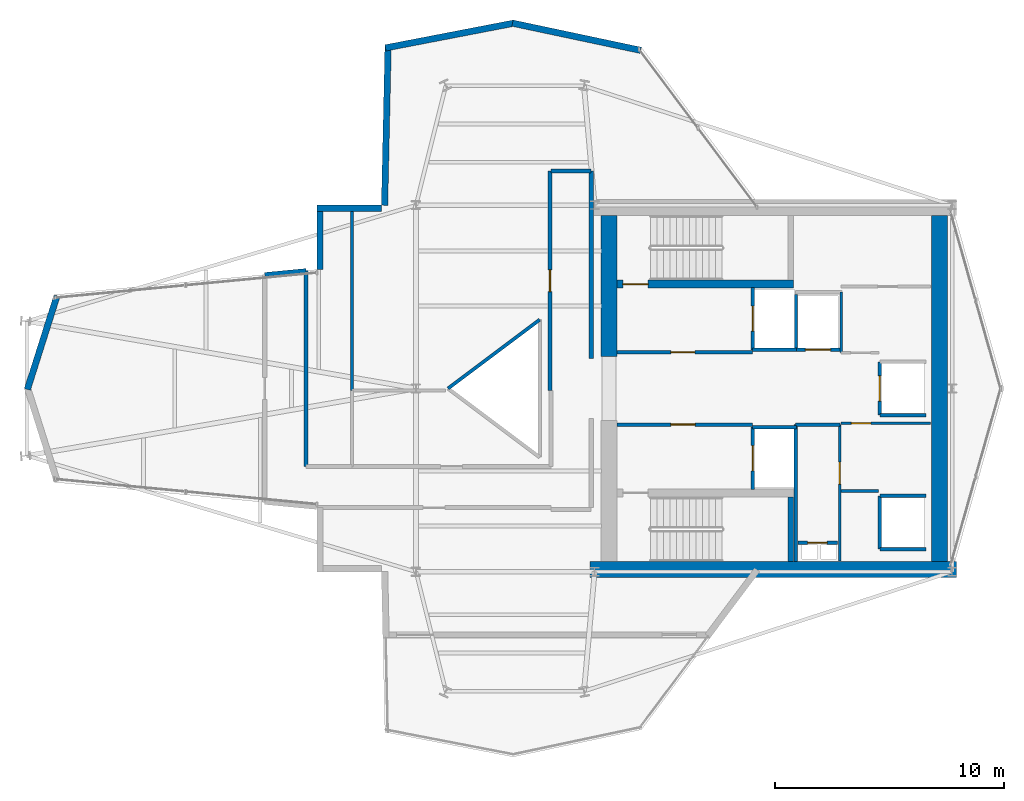
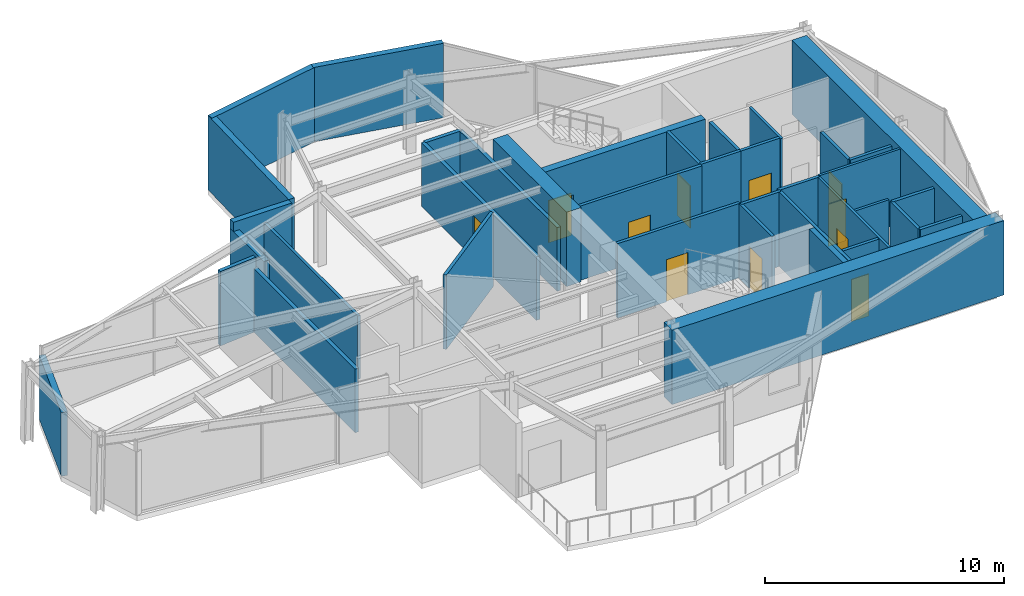
# One storey, part 15 of 18: 38 walls, 11 doors, 11 openings.
"""IFC4 building model written with IfcOpenShell, lengths in metres."""

from ifc_helpers import new_model, si_unit, direction, frame, frame_2d, origin, place, context, subcontext, project, spatial, rectangle, extrude, material, layer, layer_set, type_object, element, fill, save


model = new_model("IFC4")

# Units and contexts
model_context = context("Model", 3, precision=1e-05, world=origin(), true_north=direction((0.0, 1.0)))
body_context = subcontext(model_context, "Body", "Model", "MODEL_VIEW")
ifc_project = project(units=[si_unit("LENGTHUNIT", "METRE"), si_unit("AREAUNIT", "SQUARE_METRE"), si_unit("VOLUMEUNIT", "CUBIC_METRE"), si_unit("PLANEANGLEUNIT", "RADIAN"), si_unit("MASSUNIT", "GRAM", prefix="KILO")], contexts=[model_context])

# Site, building, storey
site_placement = place(None, origin())
site = spatial("IfcSite", under=ifc_project, at=site_placement, CompositionType="ELEMENT")
building_placement = place(site_placement, origin())
building = spatial("IfcBuilding", under=site, at=building_placement, Name="Veymaron Broadcast Tower", CompositionType="ELEMENT")
storey_placement = place(building_placement, frame((0.0, 0.0, 236.39990234375)))
storey = spatial("IfcBuildingStorey", under=building, at=storey_placement, Name="L55", CompositionType="ELEMENT", Elevation=236.39990234375)

# Walls
ifc_material_1 = material(Name="Precast concrete C40/50", Category="concrete")
ifc_layer_1 = layer(ifc_material_1, 0.280029296875)
ifc_layer_set_1 = layer_set([ifc_layer_1], Name="Precast concrete C40/50")
wall_type_1 = type_object("IfcWallType", Name="WALL-EXT-280", PredefinedType="STANDARD", material=ifc_layer_set_1)
wall_1_placement = place(storey_placement, frame((41.01416015625, 38.759033203125, 0.0), z_axis=(0.0, 0.0, 1.0), x_axis=(-0.978225466403, 0.207545023742, 0.0)))
element("IfcWall", 1, at=wall_1_placement, inside=storey, type_object=wall_type_1, Name="L55 notched corner facade pier 8-1", PredefinedType="STANDARD", context=body_context, shape_type="SweptSolid", body=[
    extrude(rectangle(XDim=5.72412109375, YDim=0.280029296875, at=frame_2d((2.862060546875, 0.0))), origin(), (0.0, 0.0, 1.0), 3.7900390625),
])
wall_2_placement = place(storey_placement, frame((35.470458984375, 39.946533203125, 0.0), z_axis=(0.0, 0.0, 1.0), x_axis=(-0.981898182051, -0.18940950368, 0.0)))
element("IfcWall", 2, at=wall_2_placement, inside=storey, type_object=wall_type_1, Name="L55 notched corner facade pier 9-1", PredefinedType="STANDARD", context=body_context, shape_type="SweptSolid", body=[
    extrude(rectangle(XDim=5.702392578125, YDim=0.280029296875, at=frame_2d((2.85107421875, 0.0))), origin(), (0.0, 0.0, 1.0), 3.7900390625),
])
wall_3_placement = place(storey_placement, frame((29.98486328125, 39.0009765625, 0.0), z_axis=(0.0, 0.0, 1.0), x_axis=(-0.022163330023, -0.999754363232, 0.0)))
element("IfcWall", 3, at=wall_3_placement, inside=storey, type_object=wall_type_1, Name="L55 notched corner facade pier 10-1", PredefinedType="STANDARD", context=body_context, shape_type="SweptSolid", body=[
    extrude(rectangle(XDim=7.005859375, YDim=0.280029296875, at=frame_2d((3.5029296875, 0.0))), origin(), (0.0, 0.0, 1.0), 3.7900390625),
])
wall_4_placement = place(storey_placement, frame((29.689697265625, 31.860107421875, 0.0), z_axis=(0.0, 0.0, 1.0), x_axis=(-1.0, 0.0, 0.0)))
element("IfcWall", 4, at=wall_4_placement, inside=storey, type_object=wall_type_1, Name="L55 notched corner facade pier 11-1", PredefinedType="STANDARD", context=body_context, shape_type="SweptSolid", body=[
    extrude(rectangle(XDim=2.817626953125, YDim=0.280029296875, at=frame_2d((1.40869140625, 0.0))), origin(), (0.0, 0.0, 1.0), 3.7900390625),
])
wall_5_placement = place(storey_placement, frame((27.011962890625, 32.0, 0.0), z_axis=(0.0, 0.0, 1.0), x_axis=(0.0, -1.0, 0.0)))
element("IfcWall", 5, at=wall_5_placement, inside=storey, type_object=wall_type_1, Name="L55 notched corner facade pier 12-1", PredefinedType="STANDARD", context=body_context, shape_type="SweptSolid", body=[
    extrude(rectangle(XDim=2.80810546875, YDim=0.280029296875, at=frame_2d((1.404052734375, 0.0))), origin(), (0.0, 0.0, 1.0), 3.319091796875),
])
wall_6_placement = place(storey_placement, frame((15.533447265625, 28.04931640625, 0.0), z_axis=(0.0, 0.0, 1.0), x_axis=(-0.301942542658, -0.953326125171, 0.0)))
element("IfcWall", 6, at=wall_6_placement, inside=storey, type_object=wall_type_1, Name="L55 notched corner facade pier 14-1", PredefinedType="STANDARD", context=body_context, shape_type="SweptSolid", body=[
    extrude(rectangle(XDim=4.2919921875, YDim=0.280029296875, at=frame_2d((2.14599609375, 0.0))), origin(), (0.0, 0.0, 1.0), 3.2412109375),
])

# Wall, opening, door
ifc_material_2 = material(Name="Gypsum fireboard and steel stud framing", Category="steel")
ifc_layer_2 = layer(ifc_material_2, 0.14990234375)
ifc_layer_set_2 = layer_set([ifc_layer_2], Name="Gypsum fireboard and steel stud framing")
wall_type_2 = type_object("IfcWallType", Name="WALL-FIRE-150", PredefinedType="PARTITIONING", material=ifc_layer_set_2)
wall_7_placement = place(storey_placement, frame((39.97998046875, 25.574951171875, 0.0), z_axis=(0.0, 0.0, 1.0), x_axis=(1.0, 0.0, 0.0)))
wall_7 = element("IfcWall", 7, at=wall_7_placement, inside=storey, type_object=wall_type_2, Name="L55 partition IW-L55-FFLN-S", PredefinedType="PARTITIONING", context=body_context, shape_type="SweptSolid", body=[
    extrude(rectangle(XDim=5.89990234375, YDim=0.14990234375, at=frame_2d((2.949951171875, 0.0))), origin(), (0.0, 0.0, 1.0), 3.7900390625),
])
opening_1_placement = place(wall_7_placement, frame((2.35009765625, 0.0, 0.0)))
opening_1 = element("IfcOpeningElement", 8, at=opening_1_placement, cuts=wall_7, Name="Opening ID-FL1", PredefinedType="OPENING", context=body_context, shape_type="SweptSolid", body=[
    extrude(rectangle(XDim=1.050048828125, YDim=2.14990234375, at=frame_2d((0.52490234375, 1.074951171875))), frame((0.0, 0.0849609375, 0.0), z_axis=(0.0, -1.0, 0.0), x_axis=(1.0, 0.0, 0.0)), (0.0, 0.0, 1.0), 0.169921875),
])
ifc_material_3 = material(Name="Fire-rated painted hollow steel ASTM A653", Category="steel")
door_type_1 = type_object("IfcDoorType", Name="DOOR-FIRE-1050", OperationType="NOTDEFINED", PredefinedType="DOOR", material=ifc_material_3)
door_1_placement = place(opening_1_placement, origin())
door_1 = element("IfcDoor", 9, at=door_1_placement, inside=storey, type_object=door_type_1, Name="L55 door DR-L55-FFLN", OperationType="SINGLE_SWING_LEFT", OverallHeight=2.14990234375, OverallWidth=1.050048828125, PredefinedType="DOOR", context=body_context, shape_type="SweptSolid", body=[
    extrude(rectangle(XDim=1.050048828125, YDim=2.14990234375, at=frame_2d((0.52490234375, 1.074951171875))), frame((0.0, 0.02490234375, 0.0), z_axis=(0.0, -1.0, 0.0), x_axis=(1.0, 0.0, 0.0)), (0.0, 0.0, 1.0), 0.050048828125),
])
fill(opening_1, door_1)

wall_8_placement = place(storey_placement, frame((39.97998046875, 22.425048828125, 0.0), z_axis=(0.0, 0.0, 1.0), x_axis=(1.0, 0.0, 0.0)))
wall_8 = element("IfcWall", 10, at=wall_8_placement, inside=storey, type_object=wall_type_2, Name="L55 partition IW-L55-FFLS-N", PredefinedType="PARTITIONING", context=body_context, shape_type="SweptSolid", body=[
    extrude(rectangle(XDim=5.89990234375, YDim=0.14990234375, at=frame_2d((2.949951171875, 0.0))), origin(), (0.0, 0.0, 1.0), 3.7900390625),
])
opening_2_placement = place(wall_8_placement, frame((2.35009765625, 0.0, 0.0)))
opening_2 = element("IfcOpeningElement", 11, at=opening_2_placement, cuts=wall_8, Name="Opening ID-FL1", PredefinedType="OPENING", context=body_context, shape_type="SweptSolid", body=[
    extrude(rectangle(XDim=1.050048828125, YDim=2.14990234375, at=frame_2d((0.52490234375, 1.074951171875))), frame((0.0, 0.0849609375, 0.0), z_axis=(0.0, -1.0, 0.0), x_axis=(1.0, 0.0, 0.0)), (0.0, 0.0, 1.0), 0.169921875),
])
door_2_placement = place(opening_2_placement, frame((1.050048828125, 0.0, 0.0), z_axis=(0.0, 0.0, 1.0), x_axis=(-1.0, 0.0, 0.0)))
door_2 = element("IfcDoor", 12, at=door_2_placement, inside=storey, type_object=door_type_1, Name="L55 door DR-L55-FFLS", OperationType="SINGLE_SWING_RIGHT", OverallHeight=2.14990234375, OverallWidth=1.050048828125, PredefinedType="DOOR", context=body_context, shape_type="SweptSolid", body=[
    extrude(rectangle(XDim=1.050048828125, YDim=2.14990234375, at=frame_2d((0.52490234375, 1.074951171875))), frame((0.0, 0.02490234375, 0.0), z_axis=(0.0, -1.0, 0.0), x_axis=(1.0, 0.0, 0.0)), (0.0, 0.0, 1.0), 0.050048828125),
])
fill(opening_2, door_2)

wall_9_placement = place(storey_placement, frame((45.89501953125, 25.68994140625, 0.0), z_axis=(0.0, 0.0, 1.0), x_axis=(0.0, 1.0, 0.0)))
wall_9 = element("IfcWall", 13, at=wall_9_placement, inside=storey, type_object=wall_type_2, Name="L55 partition IW-L55-SHW-FFL-1", PredefinedType="PARTITIONING", context=body_context, shape_type="SweptSolid", body=[
    extrude(rectangle(XDim=2.719970703125, YDim=0.14990234375, at=frame_2d((1.35986328125, 0.0))), origin(), (0.0, 0.0, 1.0), 3.7900390625),
])
opening_3_placement = place(wall_9_placement, frame((0.81005859375, 0.0, 0.0)))
opening_3 = element("IfcOpeningElement", 14, at=opening_3_placement, cuts=wall_9, Name="Opening LD", PredefinedType="OPENING", context=body_context, shape_type="SweptSolid", body=[
    extrude(rectangle(XDim=1.10009765625, YDim=2.14990234375, at=frame_2d((0.550048828125, 1.074951171875))), frame((0.0, 0.0849609375, 0.0), z_axis=(0.0, -1.0, 0.0), x_axis=(1.0, 0.0, 0.0)), (0.0, 0.0, 1.0), 0.169921875),
])
ifc_material_4 = material(Name="Brushed stainless steel AISI 304", Category="steel")
door_type_2 = type_object("IfcDoorType", Name="DOOR-LIFT-1100", OperationType="DOUBLE_DOOR_SLIDING", PredefinedType="DOOR", material=ifc_material_4)
door_3_placement = place(opening_3_placement, frame((1.10009765625, 0.0, 0.0), z_axis=(0.0, 0.0, 1.0), x_axis=(-1.0, 0.0, 0.0)))
door_3 = element("IfcDoor", 15, at=door_3_placement, inside=storey, type_object=door_type_2, Name="L55 door LD-L55-FFL-1", OperationType="DOUBLE_DOOR_SLIDING", OverallHeight=2.14990234375, OverallWidth=1.10009765625, PredefinedType="DOOR", context=body_context, shape_type="SweptSolid", body=[
    extrude(rectangle(XDim=1.10009765625, YDim=2.14990234375, at=frame_2d((0.550048828125, 1.074951171875))), frame((0.0, 0.02490234375, 0.0), z_axis=(0.0, -1.0, 0.0), x_axis=(1.0, 0.0, 0.0)), (0.0, 0.0, 1.0), 0.050048828125),
])
fill(opening_3, door_3)

# Wall
wall_10_placement = place(storey_placement, frame((45.89501953125, 25.68994140625, 0.0), z_axis=(0.0, 0.0, 1.0), x_axis=(1.0, 0.0, 0.0)))
element("IfcWall", 16, at=wall_10_placement, inside=storey, type_object=wall_type_2, Name="L55 partition IW-L55-SHS-FFL-1", PredefinedType="PARTITIONING", context=body_context, shape_type="SweptSolid", body=[
    extrude(rectangle(XDim=1.9150390625, YDim=0.14990234375, at=frame_2d((0.95751953125, 0.0))), origin(), (0.0, 0.0, 1.0), 3.7900390625),
])

# Wall, opening, door
wall_11_placement = place(storey_placement, frame((45.89501953125, 19.590087890625, 0.0), z_axis=(0.0, 0.0, 1.0), x_axis=(0.0, 1.0, 0.0)))
wall_11 = element("IfcWall", 17, at=wall_11_placement, inside=storey, type_object=wall_type_2, Name="L55 partition IW-L55-SHW-FFL-2", PredefinedType="PARTITIONING", context=body_context, shape_type="SweptSolid", body=[
    extrude(rectangle(XDim=2.719970703125, YDim=0.14990234375, at=frame_2d((1.35986328125, 0.0))), origin(), (0.0, 0.0, 1.0), 3.7900390625),
])
opening_4_placement = place(wall_11_placement, frame((0.81005859375, 0.0, 0.0)))
opening_4 = element("IfcOpeningElement", 18, at=opening_4_placement, cuts=wall_11, Name="Opening LD", PredefinedType="OPENING", context=body_context, shape_type="SweptSolid", body=[
    extrude(rectangle(XDim=1.10009765625, YDim=2.14990234375, at=frame_2d((0.550048828125, 1.074951171875))), frame((0.0, 0.0849609375, 0.0), z_axis=(0.0, -1.0, 0.0), x_axis=(1.0, 0.0, 0.0)), (0.0, 0.0, 1.0), 0.169921875),
])
door_4_placement = place(opening_4_placement, frame((1.10009765625, 0.0, 0.0), z_axis=(0.0, 0.0, 1.0), x_axis=(-1.0, 0.0, 0.0)))
door_4 = element("IfcDoor", 19, at=door_4_placement, inside=storey, type_object=door_type_2, Name="L55 door LD-L55-FFL-2", OperationType="DOUBLE_DOOR_SLIDING", OverallHeight=2.14990234375, OverallWidth=1.10009765625, PredefinedType="DOOR", context=body_context, shape_type="SweptSolid", body=[
    extrude(rectangle(XDim=1.10009765625, YDim=2.14990234375, at=frame_2d((0.550048828125, 1.074951171875))), frame((0.0, 0.02490234375, 0.0), z_axis=(0.0, -1.0, 0.0), x_axis=(1.0, 0.0, 0.0)), (0.0, 0.0, 1.0), 0.050048828125),
])
fill(opening_4, door_4)

# Wall
wall_12_placement = place(storey_placement, frame((45.89501953125, 22.31005859375, 0.0), z_axis=(0.0, 0.0, 1.0), x_axis=(1.0, 0.0, 0.0)))
element("IfcWall", 20, at=wall_12_placement, inside=storey, type_object=wall_type_2, Name="L55 partition IW-L55-SHN-FFL-2", PredefinedType="PARTITIONING", context=body_context, shape_type="SweptSolid", body=[
    extrude(rectangle(XDim=1.9150390625, YDim=0.14990234375, at=frame_2d((0.95751953125, 0.0))), origin(), (0.0, 0.0, 1.0), 3.7900390625),
])

# Wall, opening, door
wall_13_placement = place(storey_placement, frame((47.7900390625, 25.695068359375, 0.0), z_axis=(0.0, 0.0, 1.0), x_axis=(1.0, 0.0, 0.0)))
wall_13 = element("IfcWall", 21, at=wall_13_placement, inside=storey, type_object=wall_type_2, Name="L55 partition IW-L55-SHS-SL-1", PredefinedType="PARTITIONING", context=body_context, shape_type="SweptSolid", body=[
    extrude(rectangle(XDim=1.919921875, YDim=0.14990234375, at=frame_2d((0.9599609375, 0.0))), origin(), (0.0, 0.0, 1.0), 3.7900390625),
])
opening_5_placement = place(wall_13_placement, frame((0.409912109375, 0.0, 0.0)))
opening_5 = element("IfcOpeningElement", 22, at=opening_5_placement, cuts=wall_13, Name="Opening LD", PredefinedType="OPENING", context=body_context, shape_type="SweptSolid", body=[
    extrude(rectangle(XDim=1.10009765625, YDim=2.14990234375, at=frame_2d((0.550048828125, 1.074951171875))), frame((0.0, 0.0849609375, 0.0), z_axis=(0.0, -1.0, 0.0), x_axis=(1.0, 0.0, 0.0)), (0.0, 0.0, 1.0), 0.169921875),
])
door_5_placement = place(opening_5_placement, frame((1.10009765625, 0.0, 0.0), z_axis=(0.0, 0.0, 1.0), x_axis=(-1.0, 0.0, 0.0)))
door_5 = element("IfcDoor", 23, at=door_5_placement, inside=storey, type_object=door_type_2, Name="L55 door LD-L55-SL-1", OperationType="DOUBLE_DOOR_SLIDING", OverallHeight=2.14990234375, OverallWidth=1.10009765625, PredefinedType="DOOR", context=body_context, shape_type="SweptSolid", body=[
    extrude(rectangle(XDim=1.10009765625, YDim=2.14990234375, at=frame_2d((0.550048828125, 1.074951171875))), frame((0.0, 0.02490234375, 0.0), z_axis=(0.0, -1.0, 0.0), x_axis=(1.0, 0.0, 0.0)), (0.0, 0.0, 1.0), 0.050048828125),
])
fill(opening_5, door_5)

# Wall
wall_14_placement = place(storey_placement, frame((47.7900390625, 25.695068359375, 0.0), z_axis=(0.0, 0.0, 1.0), x_axis=(0.0, 1.0, 0.0)))
element("IfcWall", 24, at=wall_14_placement, inside=storey, type_object=wall_type_2, Name="L55 partition IW-L55-SHW-SL-1", PredefinedType="PARTITIONING", context=body_context, shape_type="SweptSolid", body=[
    extrude(rectangle(XDim=2.4150390625, YDim=0.14990234375, at=frame_2d((1.20751953125, 0.0))), origin(), (0.0, 0.0, 1.0), 3.7900390625),
])

# Wall, opening, door
wall_15_placement = place(storey_placement, frame((51.445068359375, 22.840087890625, 0.0), z_axis=(0.0, 0.0, 1.0), x_axis=(0.0, 1.0, 0.0)))
wall_15 = element("IfcWall", 25, at=wall_15_placement, inside=storey, type_object=wall_type_2, Name="L55 partition IW-L55-SHW-PM3", PredefinedType="PARTITIONING", context=body_context, shape_type="SweptSolid", body=[
    extrude(rectangle(XDim=2.31982421875, YDim=0.14990234375, at=frame_2d((1.159912109375, 0.0))), origin(), (0.0, 0.0, 1.0), 3.7900390625),
])
opening_6_placement = place(wall_15_placement, frame((0.610107421875, 0.0, 0.0)))
opening_6 = element("IfcOpeningElement", 26, at=opening_6_placement, cuts=wall_15, Name="Opening LD", PredefinedType="OPENING", context=body_context, shape_type="SweptSolid", body=[
    extrude(rectangle(XDim=1.10009765625, YDim=2.14990234375, at=frame_2d((0.550048828125, 1.074951171875))), frame((0.0, 0.0849609375, 0.0), z_axis=(0.0, -1.0, 0.0), x_axis=(1.0, 0.0, 0.0)), (0.0, 0.0, 1.0), 0.169921875),
])
door_6_placement = place(opening_6_placement, frame((1.10009765625, 0.0, 0.0), z_axis=(0.0, 0.0, 1.0), x_axis=(-1.0, 0.0, 0.0)))
door_6 = element("IfcDoor", 27, at=door_6_placement, inside=storey, type_object=door_type_2, Name="L55 door LD-L55-PM3", OperationType="DOUBLE_DOOR_SLIDING", OverallHeight=2.14990234375, OverallWidth=1.10009765625, PredefinedType="DOOR", context=body_context, shape_type="SweptSolid", body=[
    extrude(rectangle(XDim=1.10009765625, YDim=2.14990234375, at=frame_2d((0.550048828125, 1.074951171875))), frame((0.0, 0.02490234375, 0.0), z_axis=(0.0, -1.0, 0.0), x_axis=(1.0, 0.0, 0.0)), (0.0, 0.0, 1.0), 0.050048828125),
])
fill(opening_6, door_6)

# Walls
wall_16_placement = place(storey_placement, frame((51.445068359375, 22.840087890625, 0.0), z_axis=(0.0, 0.0, 1.0), x_axis=(1.0, 0.0, 0.0)))
element("IfcWall", 28, at=wall_16_placement, inside=storey, type_object=wall_type_2, Name="L55 partition IW-L55-SHS-PM3", PredefinedType="PARTITIONING", context=body_context, shape_type="SweptSolid", body=[
    extrude(rectangle(XDim=2.014892578125, YDim=0.14990234375, at=frame_2d((1.00732421875, 0.0))), origin(), (0.0, 0.0, 1.0), 3.7900390625),
])
wall_17_placement = place(storey_placement, frame((51.445068359375, 16.989990234375, 0.0), z_axis=(0.0, 0.0, 1.0), x_axis=(0.0, 1.0, 0.0)))
element("IfcWall", 29, at=wall_17_placement, inside=storey, type_object=wall_type_2, Name="L55 partition IW-L55-SHW-PH1", PredefinedType="PARTITIONING", context=body_context, shape_type="SweptSolid", body=[
    extrude(rectangle(XDim=2.320068359375, YDim=0.14990234375, at=frame_2d((1.16015625, 0.0))), origin(), (0.0, 0.0, 1.0), 3.7900390625),
])
for number, where, z_axis, x_axis, name in (
    (30, (51.445068359375, 16.989990234375, 0.0), (0.0, 0.0, 1.0), (1.0, 0.0, 0.0), "L55 partition IW-L55-SHS-PH1"),
    (31, (51.445068359375, 19.31005859375, 0.0), (0.0, 0.0, 1.0), (1.0, 0.0, 0.0), "L55 partition IW-L55-SHN-PH1"),
):
    element("IfcWall", number, at=place(storey_placement, frame(where, z_axis=z_axis, x_axis=x_axis)), inside=storey, type_object=wall_type_2, Name=name, PredefinedType="PARTITIONING", context=body_context, shape_type="SweptSolid", body=[
        extrude(rectangle(XDim=2.014892578125, YDim=0.14990234375, at=frame_2d((1.00732421875, 0.0))), origin(), (0.0, 0.0, 1.0), 3.7900390625),
    ])

# Wall, opening, door
wall_18_placement = place(storey_placement, frame((47.8798828125, 17.260009765625, 0.0), z_axis=(0.0, 0.0, 1.0), x_axis=(1.0, 0.0, 0.0)))
wall_18 = element("IfcWall", 32, at=wall_18_placement, inside=storey, type_object=wall_type_2, Name="L55 partition IW-L55-RIS-N", PredefinedType="PARTITIONING", context=body_context, shape_type="SweptSolid", body=[
    extrude(rectangle(XDim=1.72021484375, YDim=0.14990234375, at=frame_2d((0.860107421875, 0.0))), origin(), (0.0, 0.0, 1.0), 3.7900390625),
])
opening_7_placement = place(wall_18_placement, frame((0.419921875, 0.0, 0.0)))
opening_7 = element("IfcOpeningElement", 33, at=opening_7_placement, cuts=wall_18, Name="Opening ID-RS1", PredefinedType="OPENING", context=body_context, shape_type="SweptSolid", body=[
    extrude(rectangle(XDim=0.85009765625, YDim=2.14990234375, at=frame_2d((0.425048828125, 1.074951171875))), frame((0.0, 0.0849609375, 0.0), z_axis=(0.0, -1.0, 0.0), x_axis=(1.0, 0.0, 0.0)), (0.0, 0.0, 1.0), 0.169921875),
])
ifc_material_5 = material(Name="Fire-rated powder-coated steel riser leaf", Category="steel")
door_type_3 = type_object("IfcDoorType", Name="DOOR-RIS-850", OperationType="NOTDEFINED", PredefinedType="TRAPDOOR", material=ifc_material_5)
door_7_placement = place(opening_7_placement, origin())
door_7 = element("IfcDoor", 34, at=door_7_placement, inside=storey, type_object=door_type_3, Name="L55 door DR-L55-RIS", OperationType="SINGLE_SWING_LEFT", OverallHeight=2.14990234375, OverallWidth=0.85009765625, PredefinedType="TRAPDOOR", context=body_context, shape_type="SweptSolid", body=[
    extrude(rectangle(XDim=0.85009765625, YDim=2.14990234375, at=frame_2d((0.425048828125, 1.074951171875))), frame((0.0, 0.02490234375, 0.0), z_axis=(0.0, -1.0, 0.0), x_axis=(1.0, 0.0, 0.0)), (0.0, 0.0, 1.0), 0.050048828125),
])
fill(opening_7, door_7)

# Walls
wall_19_placement = place(storey_placement, frame((47.760009765625, 22.425048828125, 0.0), z_axis=(0.0, 0.0, 1.0), x_axis=(1.0, 0.0, 0.0)))
element("IfcWall", 35, at=wall_19_placement, inside=storey, type_object=wall_type_2, Name="L55 partition IW-L55-SM-N", PredefinedType="PARTITIONING", context=body_context, shape_type="SweptSolid", body=[
    extrude(rectangle(XDim=1.9599609375, YDim=0.14990234375, at=frame_2d((0.97998046875, 0.0))), origin(), (0.0, 0.0, 1.0), 3.7900390625),
])
wall_20_placement = place(storey_placement, frame((47.780029296875, 16.449951171875, 0.0), z_axis=(0.0, 0.0, 1.0), x_axis=(0.0, 1.0, 0.0)))
element("IfcWall", 36, at=wall_20_placement, inside=storey, type_object=wall_type_2, Name="L55 partition IW-L55-SM-W", PredefinedType="PARTITIONING", context=body_context, shape_type="SweptSolid", body=[
    extrude(rectangle(XDim=5.97509765625, YDim=0.14990234375, at=frame_2d((2.987548828125, 0.0))), origin(), (0.0, 0.0, 1.0), 3.7900390625),
])

# Wall, opening, door
ifc_material_6 = material(Name="Concrete C40/50", Category="concrete")
ifc_layer_3 = layer(ifc_material_6, 0.179931640625)
ifc_layer_set_3 = layer_set([ifc_layer_3], Name="Concrete C40/50")
wall_type_3 = type_object("IfcWallType", Name="WALL-FIRE-180", PredefinedType="SOLIDWALL", material=ifc_layer_set_3)
wall_21_placement = place(storey_placement, frame((37.050048828125, 23.903076171875, 0.0), z_axis=(0.0, 0.0, 1.0), x_axis=(0.0, 1.0, 0.0)))
wall_21 = element("IfcWall", 37, at=wall_21_placement, inside=storey, type_object=wall_type_3, Name="L55 partition IW-L55-P11", PredefinedType="SOLIDWALL", context=body_context, shape_type="SweptSolid", body=[
    extrude(rectangle(XDim=9.596923828125, YDim=0.179931640625, at=frame_2d((4.79833984375, 0.0))), origin(), (0.0, 0.0, 1.0), 3.2412109375),
])
opening_8_placement = place(wall_21_placement, frame((4.323486328125, 0.0, 0.0)))
opening_8 = element("IfcOpeningElement", 38, at=opening_8_placement, cuts=wall_21, Name="Opening ID-RM1", PredefinedType="OPENING", context=body_context, shape_type="SweptSolid", body=[
    extrude(rectangle(XDim=0.949951171875, YDim=2.14990234375, at=frame_2d((0.47509765625, 1.074951171875))), frame((0.0, 0.10009765625, 0.0), z_axis=(0.0, -1.0, 0.0), x_axis=(1.0, 0.0, 0.0)), (0.0, 0.0, 1.0), 0.199951171875),
])
ifc_material_7 = material(Name="Acoustic solid-core European oak veneer timber", Category="wood")
door_type_4 = type_object("IfcDoorType", Name="DOOR-INT-950", OperationType="NOTDEFINED", PredefinedType="DOOR", material=ifc_material_7)
door_8_placement = place(opening_8_placement, origin())
door_8 = element("IfcDoor", 39, at=door_8_placement, inside=storey, type_object=door_type_4, Name="L55 door DR-L55-P11", OperationType="SINGLE_SWING_RIGHT", OverallHeight=2.14990234375, OverallWidth=0.949951171875, PredefinedType="DOOR", context=body_context, shape_type="SweptSolid", body=[
    extrude(rectangle(XDim=0.949951171875, YDim=2.14990234375, at=frame_2d((0.47509765625, 1.074951171875))), frame((0.0, 0.02490234375, 0.0), z_axis=(0.0, -1.0, 0.0), x_axis=(1.0, 0.0, 0.0)), (0.0, 0.0, 1.0), 0.050048828125),
])
fill(opening_8, door_8)

# Walls
wall_22_placement = place(storey_placement, frame((26.39990234375, 20.60009765625, 0.0), z_axis=(0.0, 0.0, 1.0), x_axis=(0.0, 1.0, 0.0)))
element("IfcWall", 40, at=wall_22_placement, inside=storey, type_object=wall_type_3, Name="L55 partition IW-L55-P07", PredefinedType="SOLIDWALL", context=body_context, shape_type="SweptSolid", body=[
    extrude(rectangle(XDim=8.546630859375, YDim=0.179931640625, at=frame_2d((4.2734375, 0.0))), origin(), (0.0, 0.0, 1.0), 3.2412109375),
])
wall_23_placement = place(storey_placement, frame((24.60009765625, 28.97412109375, 0.0), z_axis=(0.0, 0.0, 1.0), x_axis=(0.995432748492, 0.095465403308, 0.0)))
element("IfcWall", 41, at=wall_23_placement, inside=storey, type_object=wall_type_3, Name="L55 partition IW-L55-P10", PredefinedType="SOLIDWALL", context=body_context, shape_type="SweptSolid", body=[
    extrude(rectangle(XDim=1.80810546875, YDim=0.179931640625, at=frame_2d((0.904052734375, 0.0))), origin(), (0.0, 0.0, 1.0), 3.7900390625),
])
wall_24_placement = place(storey_placement, frame((38.85009765625, 25.300048828125, 0.0), z_axis=(0.0, 0.0, 1.0), x_axis=(0.0, 1.0, 0.0)))
element("IfcWall", 42, at=wall_24_placement, inside=storey, type_object=wall_type_3, Name="L55 partition IW-L55-P12", PredefinedType="SOLIDWALL", context=body_context, shape_type="SweptSolid", body=[
    extrude(rectangle(XDim=8.199951171875, YDim=0.179931640625, at=frame_2d((4.10009765625, 0.0))), origin(), (0.0, 0.0, 1.0), 3.2412109375),
])
wall_25_placement = place(storey_placement, frame((37.10009765625, 33.5, 0.0), z_axis=(0.0, 0.0, 1.0), x_axis=(1.0, 0.0, 0.0)))
element("IfcWall", 43, at=wall_25_placement, inside=storey, type_object=wall_type_3, Name="L55 partition IW-L55-P13", PredefinedType="SOLIDWALL", context=body_context, shape_type="SweptSolid", body=[
    extrude(rectangle(XDim=1.75, YDim=0.179931640625, at=frame_2d((0.875, 0.0))), origin(), (0.0, 0.0, 1.0), 3.2412109375),
])
ifc_material_8 = material(Name="Fire-rated laminated glass in aluminium frame", Category="aluminium")
ifc_layer_4 = layer(ifc_material_8, 0.14990234375)
ifc_layer_set_4 = layer_set([ifc_layer_4], Name="Fire-rated laminated glass in aluminium frame")
wall_type_4 = type_object("IfcWallType", Name="WALL-GLZ-150", PredefinedType="MOVABLE", material=ifc_layer_set_4)
wall_26_placement = place(storey_placement, frame((36.60009765625, 27.0, 0.0), z_axis=(0.0, 0.0, 1.0), x_axis=(-0.8, -0.6, 0.0)))
element("IfcWall", 44, at=wall_26_placement, inside=storey, type_object=wall_type_4, Name="L55 partition IW-L55-ATR3", PredefinedType="MOVABLE", context=body_context, shape_type="SweptSolid", body=[
    extrude(rectangle(XDim=5.0, YDim=0.14990234375, at=frame_2d((2.5, 0.0))), origin(), (0.0, 0.0, 1.0), 3.7900390625),
])

# Wall, opening, door
ifc_material_9 = material(Name="Acoustic gypsum board and galvanized stud", Category="gypsum")
ifc_layer_5 = layer(ifc_material_9, 0.1201171875)
ifc_layer_set_5 = layer_set([ifc_layer_5], Name="Acoustic gypsum board and galvanized stud")
wall_type_5 = type_object("IfcWallType", Name="WALL-PART-120", PredefinedType="PARTITIONING", material=ifc_layer_set_5)
wall_27_placement = place(storey_placement, frame((49.699951171875, 16.47998046875, 0.0), z_axis=(0.0, 0.0, 1.0), x_axis=(0.0, 1.0, 0.0)))
wall_27 = element("IfcWall", 45, at=wall_27_placement, inside=storey, type_object=wall_type_5, Name="L55 partition IW-L55-SM-E", PredefinedType="PARTITIONING", context=body_context, shape_type="SweptSolid", body=[
    extrude(rectangle(XDim=5.945068359375, YDim=0.1201171875, at=frame_2d((2.97265625, 0.0))), origin(), (0.0, 0.0, 1.0), 3.7900390625),
])
opening_9_placement = place(wall_27_placement, frame((3.35009765625, 0.0, 0.0)))
opening_9 = element("IfcOpeningElement", 46, at=opening_9_placement, cuts=wall_27, Name="Opening ID-RM1", PredefinedType="OPENING", context=body_context, shape_type="SweptSolid", body=[
    extrude(rectangle(XDim=0.949951171875, YDim=2.14990234375, at=frame_2d((0.47509765625, 1.074951171875))), frame((0.0, 0.070068359375, 0.0), z_axis=(0.0, -1.0, 0.0), x_axis=(1.0, 0.0, 0.0)), (0.0, 0.0, 1.0), 0.14013671875),
])
door_9_placement = place(opening_9_placement, frame((0.949951171875, 0.0, 0.0), z_axis=(0.0, 0.0, 1.0), x_axis=(-1.0, 0.0, 0.0)))
door_9 = element("IfcDoor", 47, at=door_9_placement, inside=storey, type_object=door_type_4, Name="L55 door DR-L55-AWC", OperationType="SINGLE_SWING_LEFT", OverallHeight=2.14990234375, OverallWidth=0.949951171875, PredefinedType="DOOR", context=body_context, shape_type="SweptSolid", body=[
    extrude(rectangle(XDim=0.949951171875, YDim=2.14990234375, at=frame_2d((0.47509765625, 1.074951171875))), frame((0.0, 0.02490234375, 0.0), z_axis=(0.0, -1.0, 0.0), x_axis=(1.0, 0.0, 0.0)), (0.0, 0.0, 1.0), 0.050048828125),
])
fill(opening_9, door_9)

wall_28_placement = place(storey_placement, frame((49.760009765625, 22.47998046875, 0.0), z_axis=(0.0, 0.0, 1.0), x_axis=(1.0, 0.0, 0.0)))
wall_28 = element("IfcWall", 48, at=wall_28_placement, inside=storey, type_object=wall_type_5, Name="L55 partition IW-L55-F2S-N", PredefinedType="PARTITIONING", context=body_context, shape_type="SweptSolid", body=[
    extrude(rectangle(XDim=3.89990234375, YDim=0.1201171875, at=frame_2d((1.949951171875, 0.0))), origin(), (0.0, 0.0, 1.0), 3.7900390625),
])
opening_10_placement = place(wall_28_placement, frame((0.449951171875, 0.0, 0.0)))
opening_10 = element("IfcOpeningElement", 49, at=opening_10_placement, cuts=wall_28, Name="Opening ID-WC1", PredefinedType="OPENING", context=body_context, shape_type="SweptSolid", body=[
    extrude(rectangle(XDim=0.85009765625, YDim=2.14990234375, at=frame_2d((0.425048828125, 1.074951171875))), frame((0.0, 0.070068359375, 0.0), z_axis=(0.0, -1.0, 0.0), x_axis=(1.0, 0.0, 0.0)), (0.0, 0.0, 1.0), 0.14013671875),
])
ifc_material_10 = material(Name="Moisture-resistant high-pressure laminate timber", Category="wood")
door_type_5 = type_object("IfcDoorType", Name="DOOR-INT-850", OperationType="NOTDEFINED", PredefinedType="DOOR", material=ifc_material_10)
door_10_placement = place(opening_10_placement, frame((0.85009765625, 0.0, 0.0), z_axis=(0.0, 0.0, 1.0), x_axis=(-1.0, 0.0, 0.0)))
door_10 = element("IfcDoor", 50, at=door_10_placement, inside=storey, type_object=door_type_5, Name="L55 door DR-L55-F2S", OperationType="SINGLE_SWING_LEFT", OverallHeight=2.14990234375, OverallWidth=0.85009765625, PredefinedType="DOOR", context=body_context, shape_type="SweptSolid", body=[
    extrude(rectangle(XDim=0.85009765625, YDim=2.14990234375, at=frame_2d((0.425048828125, 1.074951171875))), frame((0.0, 0.02490234375, 0.0), z_axis=(0.0, -1.0, 0.0), x_axis=(1.0, 0.0, 0.0)), (0.0, 0.0, 1.0), 0.050048828125),
])
fill(opening_10, door_10)

# Walls
wall_29_placement = place(storey_placement, frame((49.760009765625, 19.52001953125, 0.0), z_axis=(0.0, 0.0, 1.0), x_axis=(1.0, 0.0, 0.0)))
element("IfcWall", 51, at=wall_29_placement, inside=storey, type_object=wall_type_5, Name="L55 partition IW-L55-F2S-S", PredefinedType="PARTITIONING", context=body_context, shape_type="SweptSolid", body=[
    extrude(rectangle(XDim=1.639892578125, YDim=0.1201171875, at=frame_2d((0.81982421875, 0.0))), origin(), (0.0, 0.0, 1.0), 3.7900390625),
])
wall_30_placement = place(storey_placement, frame((49.760009765625, 25.56005859375, 0.0), z_axis=(0.0, 0.0, 1.0), x_axis=(0.0, 1.0, 0.0)))
element("IfcWall", 52, at=wall_30_placement, inside=storey, type_object=wall_type_5, Name="L55 partition IW-L55-F2-W1", PredefinedType="PARTITIONING", context=body_context, shape_type="SweptSolid", body=[
    extrude(rectangle(XDim=2.659912109375, YDim=0.1201171875, at=frame_2d((1.330078125, 0.0))), origin(), (0.0, 0.0, 1.0), 3.7900390625),
])
ifc_material_11 = material(Name="Double-layer acoustic gypsum and stud", Category="gypsum")
ifc_layer_6 = layer(ifc_material_11, 0.135009765625)
ifc_layer_set_6 = layer_set([ifc_layer_6], Name="Double-layer acoustic gypsum and stud")
wall_type_6 = type_object("IfcWallType", Name="WALL-PART-135", PredefinedType="PARTITIONING", material=ifc_layer_set_6)
wall_31_placement = place(storey_placement, frame((28.406982421875, 23.903076171875, 0.0), z_axis=(0.0, 0.0, 1.0), x_axis=(0.0, 1.0, 0.0)))
element("IfcWall", 53, at=wall_31_placement, inside=storey, type_object=wall_type_6, Name="L55 partition IW-L55-P16", PredefinedType="PARTITIONING", context=body_context, shape_type="SweptSolid", body=[
    extrude(rectangle(XDim=8.096923828125, YDim=0.135009765625, at=frame_2d((4.04833984375, 0.0))), origin(), (0.0, 0.0, 1.0), 3.2412109375),
])
ifc_material_12 = material(Name="Concrete C50/60", Category="concrete")
ifc_layer_7 = layer(ifc_material_12, 0.25)
ifc_layer_set_7 = layer_set([ifc_layer_7], Name="Concrete C50/60")
wall_type_7 = type_object("IfcWallType", Name="WALL-SHEAR-250", PredefinedType="SHEAR", material=ifc_layer_set_7)
wall_32_placement = place(storey_placement, frame((47.56494140625, 16.449951171875, 0.0), z_axis=(0.0, 0.0, 1.0), x_axis=(0.0, 1.0, 0.0)))
element("IfcWall", 54, at=wall_32_placement, inside=storey, type_object=wall_type_7, Name="L55 Core Wall south stair east shear", PredefinedType="SHEAR", context=body_context, shape_type="SweptSolid", body=[
    extrude(rectangle(XDim=2.820068359375, YDim=0.25, at=frame_2d((1.41015625, 0.0))), origin(), (0.0, 0.0, 1.0), 3.7900390625),
])

# Wall, opening, door
ifc_layer_8 = layer(ifc_material_12, 0.35009765625)
ifc_layer_set_8 = layer_set([ifc_layer_8], Name="Concrete C50/60")
wall_type_8 = type_object("IfcWallType", Name="WALL-SHEAR-350", PredefinedType="SHEAR", material=ifc_layer_set_8)
wall_33_placement = place(storey_placement, frame((39.97998046875, 28.554931640625, 0.0), z_axis=(0.0, 0.0, 1.0), x_axis=(1.0, 0.0, 0.0)))
wall_33 = element("IfcWall", 55, at=wall_33_placement, inside=storey, type_object=wall_type_8, Name="L55 Core Wall north stair spine", PredefinedType="SHEAR", context=body_context, shape_type="SweptSolid", body=[
    extrude(rectangle(XDim=7.7099609375, YDim=0.35009765625, at=frame_2d((3.85498046875, 0.0))), origin(), (0.0, 0.0, 1.0), 3.7900390625),
])
opening_11_placement = place(wall_33_placement, frame((0.25, 0.0, 0.0)))
opening_11 = element("IfcOpeningElement", 56, at=opening_11_placement, cuts=wall_33, Name="Opening ID-ST1", PredefinedType="OPENING", context=body_context, shape_type="SweptSolid", body=[
    extrude(rectangle(XDim=1.10009765625, YDim=2.14990234375, at=frame_2d((0.550048828125, 1.074951171875))), frame((0.0, 0.18505859375, 0.0), z_axis=(0.0, -1.0, 0.0), x_axis=(1.0, 0.0, 0.0)), (0.0, 0.0, 1.0), 0.3701171875),
])
door_type_6 = type_object("IfcDoorType", Name="DOOR-STAIR-1100", OperationType="NOTDEFINED", PredefinedType="DOOR", material=ifc_material_3)
door_11_placement = place(opening_11_placement, origin())
door_11 = element("IfcDoor", 57, at=door_11_placement, inside=storey, type_object=door_type_6, Name="L55 exit stair ST1 fire door", OperationType="SINGLE_SWING_RIGHT", OverallHeight=2.14990234375, OverallWidth=1.10009765625, PredefinedType="DOOR", context=body_context, shape_type="SweptSolid", body=[
    extrude(rectangle(XDim=1.10009765625, YDim=2.14990234375, at=frame_2d((0.550048828125, 1.074951171875))), frame((0.0, 0.02490234375, 0.0), z_axis=(0.0, -1.0, 0.0), x_axis=(1.0, 0.0, 0.0)), (0.0, 0.0, 1.0), 0.050048828125),
])
fill(opening_11, door_11)

# Walls
ifc_material_13 = material(Name="Concrete C60/75", Category="concrete")
ifc_layer_9 = layer(ifc_material_13, 0.699951171875)
ifc_layer_set_9 = layer_set([ifc_layer_9], Name="Concrete C60/75")
wall_type_9 = type_object("IfcWallType", Name="WALL-SHEAR-700", PredefinedType="SHEAR", material=ifc_layer_set_9)
wall_34_placement = place(storey_placement, frame((38.800048828125, 16.10009765625, 0.0), z_axis=(0.0, 0.0, 1.0), x_axis=(1.0, 0.0, 0.0)))
element("IfcWall", 58, at=wall_34_placement, inside=storey, type_object=wall_type_9, Name="L55 Core Wall south shear", PredefinedType="SHEAR", context=body_context, shape_type="SweptSolid", body=[
    extrude(rectangle(XDim=16.0, YDim=0.699951171875, at=frame_2d((8.0, 0.0))), origin(), (0.0, 0.0, 1.0), 3.7900390625),
])
wall_35_placement = place(storey_placement, frame((39.6298828125, 25.39990234375, 0.0), z_axis=(0.0, 0.0, 1.0), x_axis=(0.0, 1.0, 0.0)))
element("IfcWall", 59, at=wall_35_placement, inside=storey, type_object=wall_type_9, Name="L55 Core Wall west-north shear", PredefinedType="SHEAR", context=body_context, shape_type="SweptSolid", body=[
    extrude(rectangle(XDim=6.150146484375, YDim=0.699951171875, at=frame_2d((3.0751953125, 0.0))), origin(), (0.0, 0.0, 1.0), 3.7900390625),
])
wall_36_placement = place(storey_placement, frame((54.050048828125, 16.449951171875, 0.0), z_axis=(0.0, 0.0, 1.0), x_axis=(0.0, 1.0, 0.0)))
element("IfcWall", 60, at=wall_36_placement, inside=storey, type_object=wall_type_9, Name="L55 Core Wall east shear", PredefinedType="SHEAR", context=body_context, shape_type="SweptSolid", body=[
    extrude(rectangle(XDim=15.10009765625, YDim=0.699951171875, at=frame_2d((7.550048828125, 0.0))), origin(), (0.0, 0.0, 1.0), 3.7900390625),
])

save(model, "model.ifc")
